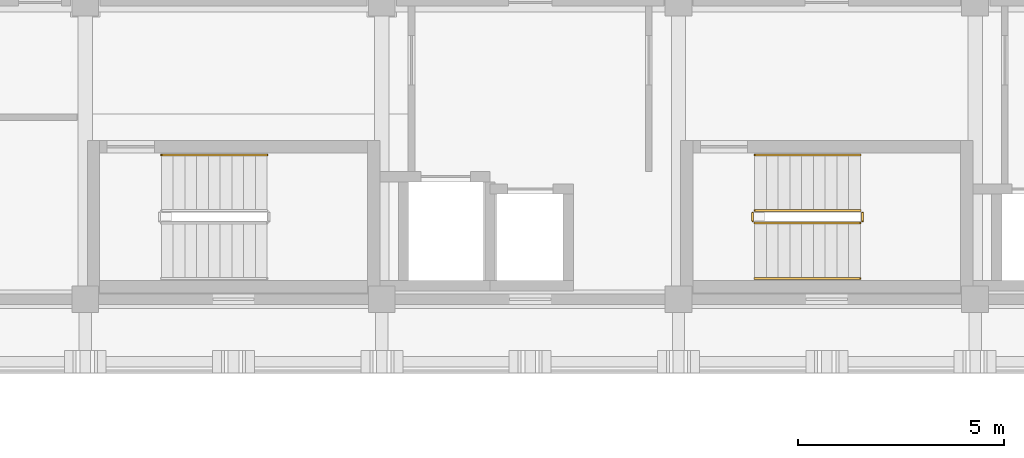
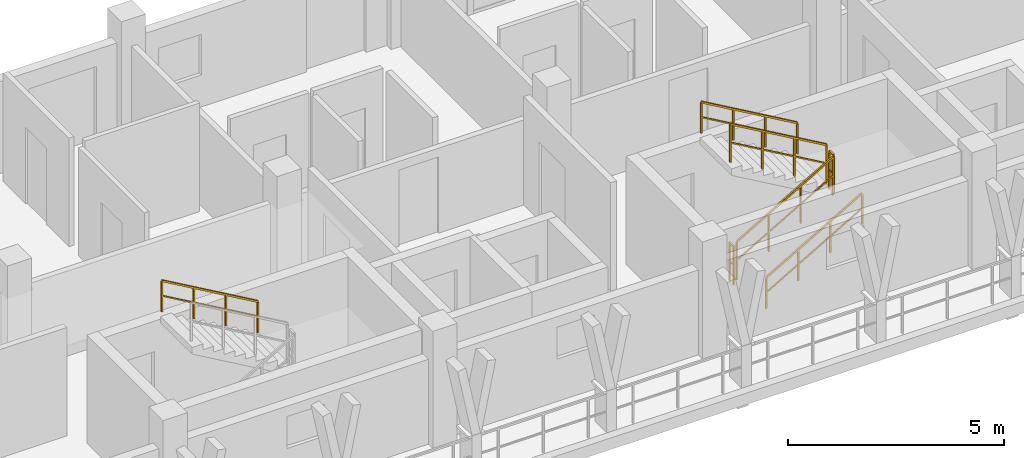
# One storey, part 67 of 75: 7 railings.
"""IFC4 building model written with IfcOpenShell, lengths in metres."""

from ifc_helpers import new_model, si_unit, direction, frame, origin, origin_2d, place, context, subcontext, project, spatial, rectangle, extrude, material, type_object, element, save


model = new_model("IFC4")

# Units and contexts
model_context = context("Model", 3, precision=1e-05, world=origin(), true_north=direction((0.0, 1.0)))
body_context = subcontext(model_context, "Body", "Model", "MODEL_VIEW")
ifc_project = project(units=[si_unit("LENGTHUNIT", "METRE"), si_unit("AREAUNIT", "SQUARE_METRE"), si_unit("VOLUMEUNIT", "CUBIC_METRE"), si_unit("PLANEANGLEUNIT", "RADIAN"), si_unit("MASSUNIT", "GRAM", prefix="KILO")], contexts=[model_context])

# Site, building, storey
site_placement = place(None, origin())
site = spatial("IfcSite", under=ifc_project, at=site_placement, CompositionType="ELEMENT")
building_placement = place(site_placement, origin())
building = spatial("IfcBuilding", under=site, at=building_placement, Name="Suanplinth Sawtooth Commons", CompositionType="ELEMENT")
storey_placement = place(building_placement, frame((0.0, 0.0, 18.60009765625)))
storey = spatial("IfcBuildingStorey", under=building, at=storey_placement, Name="L05", CompositionType="ELEMENT", Elevation=18.60009765625)

# Railings
ifc_material = material(Name="Stainless steel Grade 304", Category="steel")
railing_type_1 = type_object("IfcRailingType", Name="GR-04", PredefinedType="GUARDRAIL", material=ifc_material)
railing_1_placement = place(storey_placement, frame((59.449951171875, 109.85009765625, 0.164794921875)))
element("IfcRailing", 1, at=railing_1_placement, inside=storey, type_object=railing_type_1, Name="L05 ST-N2 Guard 1", PredefinedType="GUARDRAIL", context=body_context, shape_type="SweptSolid", body=[
    extrude(rectangle(XDim=0.048095703125, YDim=0.048095703125, at=origin_2d()), frame((0.0, 0.0, 1.076171875), z_axis=(0.865405606168, 0.0, 0.501071987656), x_axis=(0.0, 1.0, 0.0)), (0.0, 0.0, 1.0), 2.9638671875),
    extrude(rectangle(XDim=0.03369140625, YDim=0.03369140625, at=origin_2d()), frame((0.0, 0.0, 0.550048828125), z_axis=(0.865405606168, 0.0, 0.501071987656), x_axis=(0.0, 1.0, 0.0)), (0.0, 0.0, 1.0), 2.9638671875),
    extrude(rectangle(XDim=0.0419921875, YDim=0.0419921875, at=origin_2d()), origin(), (0.0, 0.0, 1.0), 1.052001953125),
    extrude(rectangle(XDim=0.0419921875, YDim=0.0419921875, at=origin_2d()), frame((0.85498046875, 0.0, 0.4951171875)), (0.0, 0.0, 1.0), 1.052001953125),
    extrude(rectangle(XDim=0.0419921875, YDim=0.0419921875, at=origin_2d()), frame((1.7099609375, 0.0, 0.989990234375)), (0.0, 0.0, 1.0), 1.052001953125),
    extrude(rectangle(XDim=0.0419921875, YDim=0.0419921875, at=origin_2d()), frame((2.56494140625, 0.0, 1.485107421875)), (0.0, 0.0, 1.0), 1.052001953125),
])
railing_2_placement = place(storey_placement, frame((62.06494140625, 109.89990234375, 1.64990234375)))
element("IfcRailing", 2, at=railing_2_placement, inside=storey, type_object=railing_type_1, Name="L05 ST-N2 Guard 2", PredefinedType="GUARDRAIL", context=body_context, shape_type="SweptSolid", body=[
    extrude(rectangle(XDim=0.048095703125, YDim=0.048095703125, at=origin_2d()), frame((0.0, 0.0, 1.076171875), z_axis=(0.0, 1.0, 0.0), x_axis=(-1.0, 0.0, 0.0)), (0.0, 0.0, 1.0), 0.2001953125),
    extrude(rectangle(XDim=0.03369140625, YDim=0.03369140625, at=origin_2d()), frame((0.0, 0.0, 0.550048828125), z_axis=(0.0, 1.0, 0.0), x_axis=(-1.0, 0.0, 0.0)), (0.0, 0.0, 1.0), 0.2001953125),
    extrude(rectangle(XDim=0.0419921875, YDim=0.0419921875, at=origin_2d()), origin(), (0.0, 0.0, 1.0), 1.052001953125),
    extrude(rectangle(XDim=0.0419921875, YDim=0.0419921875, at=origin_2d()), frame((0.0, 0.2001953125, 0.0)), (0.0, 0.0, 1.0), 1.052001953125),
])
railing_3_placement = place(storey_placement, frame((62.014892578125, 110.14990234375, 1.81494140625)))
element("IfcRailing", 3, at=railing_3_placement, inside=storey, type_object=railing_type_1, Name="L05 ST-N2 Guard 3", PredefinedType="GUARDRAIL", context=body_context, shape_type="SweptSolid", body=[
    extrude(rectangle(XDim=0.048095703125, YDim=0.048095703125, at=origin_2d()), frame((0.0, 0.0, 1.076171875), z_axis=(-0.865441324677, 0.0, 0.50101029285), x_axis=(0.0, -1.0, 0.0)), (0.0, 0.0, 1.0), 2.963623046875),
    extrude(rectangle(XDim=0.03369140625, YDim=0.03369140625, at=origin_2d()), frame((0.0, 0.0, 0.550048828125), z_axis=(-0.865441324677, 0.0, 0.50101029285), x_axis=(0.0, -1.0, 0.0)), (0.0, 0.0, 1.0), 2.963623046875),
    extrude(rectangle(XDim=0.0419921875, YDim=0.0419921875, at=origin_2d()), origin(), (0.0, 0.0, 1.0), 1.052001953125),
    extrude(rectangle(XDim=0.0419921875, YDim=0.0419921875, at=origin_2d()), frame((-0.85498046875, 0.0, 0.494873046875)), (0.0, 0.0, 1.0), 1.052001953125),
    extrude(rectangle(XDim=0.0419921875, YDim=0.0419921875, at=origin_2d()), frame((-1.7099609375, 0.0, 0.989990234375)), (0.0, 0.0, 1.0), 1.052001953125),
    extrude(rectangle(XDim=0.0419921875, YDim=0.0419921875, at=origin_2d()), frame((-2.56494140625, 0.0, 1.48486328125)), (0.0, 0.0, 1.0), 1.052001953125),
])
railing_4_placement = place(storey_placement, frame((59.39990234375, 109.89990234375, 0.0)))
element("IfcRailing", 4, at=railing_4_placement, inside=storey, type_object=railing_type_1, Name="L05 ST-N2 Guard 4", PredefinedType="GUARDRAIL", context=body_context, shape_type="SweptSolid", body=[
    extrude(rectangle(XDim=0.048095703125, YDim=0.048095703125, at=origin_2d()), frame((0.0, 0.0, 1.076171875), z_axis=(0.0, 1.0, 0.0), x_axis=(-1.0, 0.0, 0.0)), (0.0, 0.0, 1.0), 0.2001953125),
    extrude(rectangle(XDim=0.03369140625, YDim=0.03369140625, at=origin_2d()), frame((0.0, 0.0, 0.550048828125), z_axis=(0.0, 1.0, 0.0), x_axis=(-1.0, 0.0, 0.0)), (0.0, 0.0, 1.0), 0.2001953125),
    extrude(rectangle(XDim=0.0419921875, YDim=0.0419921875, at=origin_2d()), origin(), (0.0, 0.0, 1.0), 1.052001953125),
    extrude(rectangle(XDim=0.0419921875, YDim=0.0419921875, at=origin_2d()), frame((0.0, 0.2001953125, 0.0)), (0.0, 0.0, 1.0), 1.052001953125),
])
railing_type_2 = type_object("IfcRailingType", Name="HR-01", PredefinedType="HANDRAIL", material=ifc_material)
railing_5_placement = place(storey_placement, frame((47.614990234375, 111.5, 1.81494140625)))
element("IfcRailing", 5, at=railing_5_placement, inside=storey, type_object=railing_type_2, Name="L05 ST-N1 Handrail 2", PredefinedType="HANDRAIL", context=body_context, shape_type="SweptSolid", body=[
    extrude(rectangle(XDim=0.048095703125, YDim=0.048095703125, at=origin_2d()), frame((0.0, 0.0, 0.8759765625), z_axis=(-0.865441324677, 0.0, 0.50101029285), x_axis=(0.0, -1.0, 0.0)), (0.0, 0.0, 1.0), 2.963623046875),
    extrude(rectangle(XDim=0.03369140625, YDim=0.03369140625, at=origin_2d()), frame((0.0, 0.0, 0.449951171875), z_axis=(-0.865441324677, 0.0, 0.50101029285), x_axis=(0.0, -1.0, 0.0)), (0.0, 0.0, 1.0), 2.963623046875),
    extrude(rectangle(XDim=0.0419921875, YDim=0.0419921875, at=origin_2d()), origin(), (0.0, 0.0, 1.0), 0.851806640625),
    extrude(rectangle(XDim=0.0419921875, YDim=0.0419921875, at=origin_2d()), frame((-0.85498046875, 0.0, 0.494873046875)), (0.0, 0.0, 1.0), 0.851806640625),
    extrude(rectangle(XDim=0.0419921875, YDim=0.0419921875, at=origin_2d()), frame((-1.7099609375, 0.0, 0.989990234375)), (0.0, 0.0, 1.0), 0.851806640625),
    extrude(rectangle(XDim=0.0419921875, YDim=0.0419921875, at=origin_2d()), frame((-2.56494140625, 0.0, 1.48486328125)), (0.0, 0.0, 1.0), 0.851806640625),
])
railing_6_placement = place(storey_placement, frame((59.449951171875, 108.5, 0.164794921875)))
element("IfcRailing", 6, at=railing_6_placement, inside=storey, type_object=railing_type_2, Name="L05 ST-N2 Handrail 1", PredefinedType="HANDRAIL", context=body_context, shape_type="SweptSolid", body=[
    extrude(rectangle(XDim=0.048095703125, YDim=0.048095703125, at=origin_2d()), frame((0.0, 0.0, 0.8759765625), z_axis=(0.865405606168, 0.0, 0.501071987656), x_axis=(0.0, 1.0, 0.0)), (0.0, 0.0, 1.0), 2.9638671875),
    extrude(rectangle(XDim=0.03369140625, YDim=0.03369140625, at=origin_2d()), frame((0.0, 0.0, 0.449951171875), z_axis=(0.865405606168, 0.0, 0.501071987656), x_axis=(0.0, 1.0, 0.0)), (0.0, 0.0, 1.0), 2.9638671875),
    extrude(rectangle(XDim=0.0419921875, YDim=0.0419921875, at=origin_2d()), origin(), (0.0, 0.0, 1.0), 0.851806640625),
    extrude(rectangle(XDim=0.0419921875, YDim=0.0419921875, at=origin_2d()), frame((0.85498046875, 0.0, 0.4951171875)), (0.0, 0.0, 1.0), 0.851806640625),
    extrude(rectangle(XDim=0.0419921875, YDim=0.0419921875, at=origin_2d()), frame((1.7099609375, 0.0, 0.989990234375)), (0.0, 0.0, 1.0), 0.851806640625),
    extrude(rectangle(XDim=0.0419921875, YDim=0.0419921875, at=origin_2d()), frame((2.56494140625, 0.0, 1.485107421875)), (0.0, 0.0, 1.0), 0.851806640625),
])
railing_7_placement = place(storey_placement, frame((62.014892578125, 111.5, 1.81494140625)))
element("IfcRailing", 7, at=railing_7_placement, inside=storey, type_object=railing_type_2, Name="L05 ST-N2 Handrail 2", PredefinedType="HANDRAIL", context=body_context, shape_type="SweptSolid", body=[
    extrude(rectangle(XDim=0.048095703125, YDim=0.048095703125, at=origin_2d()), frame((0.0, 0.0, 0.8759765625), z_axis=(-0.865441324677, 0.0, 0.50101029285), x_axis=(0.0, -1.0, 0.0)), (0.0, 0.0, 1.0), 2.963623046875),
    extrude(rectangle(XDim=0.03369140625, YDim=0.03369140625, at=origin_2d()), frame((0.0, 0.0, 0.449951171875), z_axis=(-0.865441324677, 0.0, 0.50101029285), x_axis=(0.0, -1.0, 0.0)), (0.0, 0.0, 1.0), 2.963623046875),
    extrude(rectangle(XDim=0.0419921875, YDim=0.0419921875, at=origin_2d()), origin(), (0.0, 0.0, 1.0), 0.851806640625),
    extrude(rectangle(XDim=0.0419921875, YDim=0.0419921875, at=origin_2d()), frame((-0.85498046875, 0.0, 0.494873046875)), (0.0, 0.0, 1.0), 0.851806640625),
    extrude(rectangle(XDim=0.0419921875, YDim=0.0419921875, at=origin_2d()), frame((-1.7099609375, 0.0, 0.989990234375)), (0.0, 0.0, 1.0), 0.851806640625),
    extrude(rectangle(XDim=0.0419921875, YDim=0.0419921875, at=origin_2d()), frame((-2.56494140625, 0.0, 1.48486328125)), (0.0, 0.0, 1.0), 0.851806640625),
])

save(model, "model.ifc")
